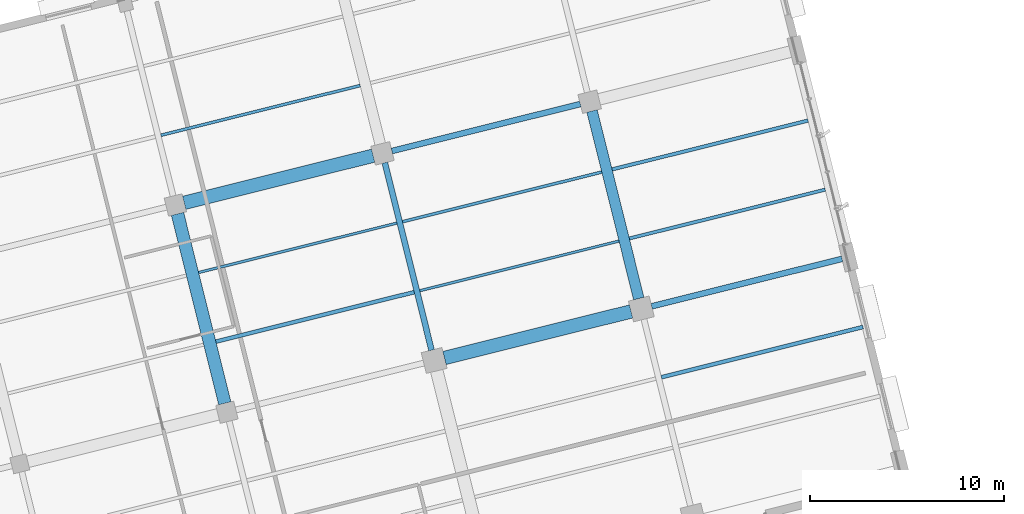
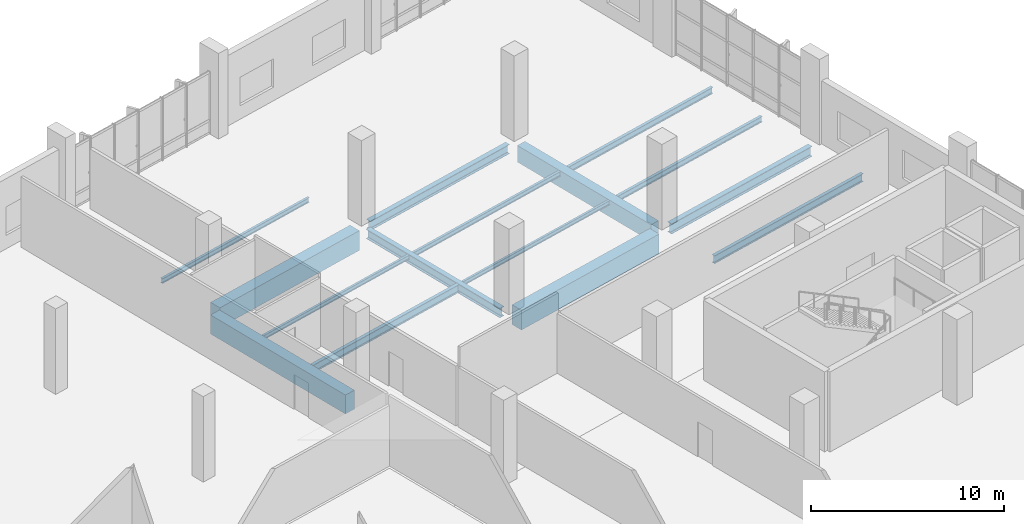
# One storey, part 94 of 176: 15 beams.
"""IFC4 building model written with IfcOpenShell, lengths in metres."""

import ifcopenshell
import ifcopenshell.guid

model = None  # the IFC model being written
_history = None  # IfcOwnerHistory: only IFC2X3 demands one
_inside = {}  # id of a spatial element -> (the spatial element, [elements in it])
_under = {}  # id of a project, library or spatial element -> (it, [spatial elements below it])
_declared = {}  # id of a project -> (the project, [libraries it declares])
_typed = {}  # id of a type object -> (the type object, [elements of that type])
_made_of = {}  # id of a material, layer set ... -> (it, [elements and type objects made of it])


def new_model(schema):
    """Start an empty IFC model of exactly this schema.

    Asked for "IFC4X3", IfcOpenShell would pick the latest addendum, in which some entities
    have other attributes; the version numbers below select the first issue.
    IFC2X3 requires an IfcOwnerHistory on every rooted entity: one is made here for all.
    """
    global model, _history
    if schema == "IFC4X3":
        model = ifcopenshell.file(schema_version=(4, 3, 0, 0))
    else:
        model = ifcopenshell.file(schema=schema)
    _inside.clear()
    _under.clear()
    _declared.clear()
    _typed.clear()
    _made_of.clear()
    _history = None
    if model.schema == "IFC2X3":
        org = make("IfcOrganization", Name="unknown")
        user = make(
            "IfcPersonAndOrganization",
            ThePerson=make("IfcPerson", FamilyName="unknown"),
            TheOrganization=org,
        )
        app = make(
            "IfcApplication",
            ApplicationDeveloper=org,
            Version="unknown",
            ApplicationFullName="unknown",
            ApplicationIdentifier="unknown",
        )
        _history = make(
            "IfcOwnerHistory",
            OwningUser=user,
            OwningApplication=app,
            ChangeAction="ADDED",
            CreationDate=0,
        )
    return model


def make(cls, **values):
    """One entity of the class cls with the attributes given. An attribute that is None is left unset."""
    return model.create_entity(
        cls, **{name: value for name, value in values.items() if value is not None}
    )


def rooted(cls, **values):
    """An entity with a GlobalId (a new one), such as an element, a storey or a relation."""
    return make(cls, GlobalId=ifcopenshell.guid.new(), OwnerHistory=_history, **values)


def si_unit(unit_type, name, prefix=None):
    """IfcSIUnit, for example si_unit("LENGTHUNIT", "METRE", prefix="MILLI")."""
    return make("IfcSIUnit", UnitType=unit_type, Prefix=prefix, Name=name)


def assignment(units):
    """IfcUnitAssignment: the units of a project."""
    return None if units is None else make("IfcUnitAssignment", Units=units)


def point(xyz):
    """IfcCartesianPoint."""
    return None if xyz is None else make("IfcCartesianPoint", Coordinates=xyz)


def direction(xyz):
    """IfcDirection."""
    return None if xyz is None else make("IfcDirection", DirectionRatios=xyz)


def frame(location, z_axis=None, x_axis=None):
    """IfcAxis2Placement3D, a coordinate frame: its origin and axes. An axis left out is left unset."""
    return make(
        "IfcAxis2Placement3D",
        Location=point(location),
        Axis=direction(z_axis),
        RefDirection=direction(x_axis),
    )


def frame_2d(location, x_axis=None):
    """IfcAxis2Placement2D, a coordinate frame in the plane: its origin and x axis."""
    return make(
        "IfcAxis2Placement2D", Location=point(location), RefDirection=direction(x_axis)
    )


def origin():
    """The frame at (0, 0, 0) with its axes left unset."""
    return frame((0.0, 0.0, 0.0))


def origin_2d():
    """The frame at (0, 0) in the plane with its x axis left unset."""
    return frame_2d((0.0, 0.0))


def place(relative_to, where):
    """IfcLocalPlacement: puts the frame where relative to a parent placement (None: the world)."""
    return make(
        "IfcLocalPlacement", PlacementRelTo=relative_to, RelativePlacement=where
    )


def context(
    kind, dimensions, precision=None, world=None, true_north=None, identifier=None
):
    """IfcGeometricRepresentationContext, for example the 3D "Model" context."""
    return make(
        "IfcGeometricRepresentationContext",
        ContextIdentifier=identifier,
        ContextType=kind,
        CoordinateSpaceDimension=dimensions,
        Precision=precision,
        WorldCoordinateSystem=world,
        TrueNorth=true_north,
    )


def subcontext(parent, identifier, kind, view, scale=None):
    """IfcGeometricRepresentationSubContext, for example "Body" below "Model"."""
    return make(
        "IfcGeometricRepresentationSubContext",
        ContextIdentifier=identifier,
        ContextType=kind,
        ParentContext=parent,
        TargetScale=scale,
        TargetView=view,
    )


def project(units=None, contexts=None):
    """IfcProject with its units and contexts."""
    return rooted(
        "IfcProject",
        Name="project",
        RepresentationContexts=contexts,
        UnitsInContext=assignment(units),
    )


def spatial(cls, under=None, at=None, **own):
    """A site, building, storey or space (cls), placed at a placement, below another one or the project."""
    s = rooted(cls, ObjectPlacement=at, **own)
    if under is not None:
        _under.setdefault(under.id(), (under, []))[1].append(s)
    return s


def profile(cls, at=None, kind="AREA", **sizes):
    """A parametric profile (cls). Its sizes go by their IFC names, for example OverallWidth=200.0."""
    return make(cls, ProfileType=kind, Position=at, **sizes)


def rectangle(**sizes):
    """IfcRectangleProfileDef."""
    return profile("IfcRectangleProfileDef", **sizes)


def i_section(**sizes):
    """IfcIShapeProfileDef."""
    return profile("IfcIShapeProfileDef", **sizes)


def extrude(swept, where, along, depth):
    """IfcExtrudedAreaSolid: the profile swept, set in the frame where, extruded along a direction by depth."""
    return make(
        "IfcExtrudedAreaSolid",
        SweptArea=swept,
        Position=where,
        ExtrudedDirection=direction(along),
        Depth=depth,
    )


def shape(context_of_items, identifier, shape_type, items):
    """IfcShapeRepresentation: the items that make up one representation, for example the "Body"."""
    return make(
        "IfcShapeRepresentation",
        ContextOfItems=context_of_items,
        RepresentationIdentifier=identifier,
        RepresentationType=shape_type,
        Items=items,
    )


def material(Name=None, Category=None):
    """IfcMaterial."""
    return make("IfcMaterial", Name=Name, Category=Category)


def material_profile(
    of_material, cross_section, Name=None, Category=None, Priority=None
):
    """IfcMaterialProfile: a cross section and its material."""
    return make(
        "IfcMaterialProfile",
        Name=Name,
        Material=of_material,
        Profile=cross_section,
        Priority=Priority,
        Category=Category,
    )


def profile_set(profiles, Name=None, composite=None):
    """IfcMaterialProfileSet."""
    return make(
        "IfcMaterialProfileSet",
        Name=Name,
        MaterialProfiles=profiles,
        CompositeProfile=composite,
    )


def made_of(thing, what):
    """Note that an element or type object is made of a material, layer set ...; save() writes the relation."""
    if what is not None:
        _made_of.setdefault(what.id(), (what, []))[1].append(thing)
    return thing


def type_object(cls, material=None, **own):
    """A type object (cls), such as IfcWallType, which elements share."""
    return made_of(rooted(cls, **own), material)


def element(
    cls,
    number,
    at=None,
    inside=None,
    cuts=None,
    type_object=None,
    material=None,
    context=None,
    identifier="Body",
    shape_type=None,
    held_by="IfcProductDefinitionShape",
    body=None,
    shapes=None,
    **own,
):
    """One element of the class cls, such as IfcWall. Its Tag is "e" and its number.

    at: its placement. inside: the storey or other place that contains it. cuts: it is an
    opening in that element (IfcRelVoidsElement). A single representation is given by context,
    identifier, shape_type and body (its items); several are given by shapes. held_by: the class
    of the entity that holds the representations. save() writes the other relations.
    """
    e = rooted(cls, Tag="e%d" % number, ObjectPlacement=at, **own)
    if body is not None:
        shapes = [shape(context, identifier, shape_type, body)]
    if shapes is not None:
        e.Representation = make(held_by, Representations=shapes)
    if inside is not None:
        _inside.setdefault(inside.id(), (inside, []))[1].append(e)
    if cuts is not None:
        rooted(
            "IfcRelVoidsElement", RelatingBuildingElement=cuts, RelatedOpeningElement=e
        )
    if type_object is not None:
        _typed.setdefault(type_object.id(), (type_object, []))[1].append(e)
    return made_of(e, material)


def aggregate(whole, parts):
    """IfcRelAggregates: a whole, such as a stair, and the parts it consists of."""
    return rooted("IfcRelAggregates", RelatingObject=whole, RelatedObjects=parts)


def save(model, path):
    """Write the relations noted so far, then the file.

    IfcRelAggregates (storeys below a building ...), IfcRelContainedInSpatialStructure (elements
    in a storey), IfcRelDefinesByType, IfcRelAssociatesMaterial and IfcRelDeclares: one each for
    every whole, place, type object, material and project.
    """
    for whole, parts in _under.values():
        aggregate(whole, parts)
    for where, things in _inside.values():
        rooted(
            "IfcRelContainedInSpatialStructure",
            RelatedElements=things,
            RelatingStructure=where,
        )
    for kind, things in _typed.values():
        rooted("IfcRelDefinesByType", RelatedObjects=things, RelatingType=kind)
    for what, things in _made_of.values():
        rooted("IfcRelAssociatesMaterial", RelatedObjects=things, RelatingMaterial=what)
    for by, libraries in _declared.values():
        rooted("IfcRelDeclares", RelatingContext=by, RelatedDefinitions=libraries)
    model.write(path)


model = new_model("IFC4")

# Units and contexts
model_context = context("Model", 3, precision=1e-05, world=origin(), true_north=direction((0.0, 1.0)))
body_context = subcontext(model_context, "Body", "Model", "MODEL_VIEW")
ifc_project = project(units=[si_unit("LENGTHUNIT", "METRE"), si_unit("AREAUNIT", "SQUARE_METRE"), si_unit("VOLUMEUNIT", "CUBIC_METRE"), si_unit("PLANEANGLEUNIT", "RADIAN"), si_unit("MASSUNIT", "GRAM", prefix="KILO")], contexts=[model_context])

# Site, building, storey
site_placement = place(None, origin())
site = spatial("IfcSite", under=ifc_project, at=site_placement, CompositionType="ELEMENT")
building_placement = place(site_placement, origin())
building = spatial("IfcBuilding", under=site, at=building_placement, Name="Khorjan Park Terminus", CompositionType="ELEMENT")
storey_placement = place(building_placement, frame((0.0, 0.0, 6.0)))
storey = spatial("IfcBuildingStorey", under=building, at=storey_placement, Name="L01", CompositionType="ELEMENT", Elevation=6.0)

# Beams
ifc_material_1 = material(Name="Steel S355", Category="steel")
ifc_material_profile_1 = material_profile(ifc_material_1, i_section(OverallWidth=0.3, OverallDepth=0.59, WebThickness=0.013, FlangeThickness=0.025, FilletRadius=0.027, at=origin_2d()), Name="HEA 600")
ifc_profile_set_1 = profile_set([ifc_material_profile_1], Name="Steel S355")
beam_type_1 = type_object("IfcBeamType", Name="BM-HEA600", PredefinedType="BEAM", material=ifc_profile_set_1)
beam_1_placement = place(storey_placement, frame((195.8676, 66.1306, -0.645), z_axis=(0.970296854054, 0.241917372283, 0.0), x_axis=(-0.241917372283, 0.970296854054, 0.0)))
element("IfcBeam", 1, at=beam_1_placement, inside=storey, type_object=beam_type_1, Name="Primary skew-grid floor girder SB-A60 (L01)", PredefinedType="BEAM", context=body_context, shape_type="SweptSolid", body=[
    extrude(i_section(OverallWidth=0.3, OverallDepth=0.59, WebThickness=0.013, FlangeThickness=0.025, FilletRadius=0.027, at=origin_2d()), origin(), (0.0, 0.0, 1.0), 10.01),
])
ifc_material_profile_2 = material_profile(ifc_material_1, i_section(OverallWidth=0.3, OverallDepth=0.64, WebThickness=0.0135, FlangeThickness=0.026, FilletRadius=0.027, at=origin_2d()), Name="HEA 650")
ifc_profile_set_2 = profile_set([ifc_material_profile_2], Name="Steel S355")
beam_type_2 = type_object("IfcBeamType", Name="BM-HEA650", PredefinedType="BEAM", material=ifc_profile_set_2)
beam_2_placement = place(storey_placement, frame((209.2505, 58.1306, -0.67), z_axis=(0.970296490369, 0.241918830968, 0.0), x_axis=(-0.241918830968, 0.970296490369, 0.0)))
element("IfcBeam", 2, at=beam_2_placement, inside=storey, type_object=beam_type_2, Name="Primary skew-grid floor girder SB-A65 (L01)", PredefinedType="BEAM", context=body_context, shape_type="SweptSolid", body=[
    extrude(i_section(OverallWidth=0.3, OverallDepth=0.64, WebThickness=0.0135, FlangeThickness=0.026, FilletRadius=0.027, at=origin_2d()), origin(), (0.0, 0.0, 1.0), 10.11),
])
ifc_material_profile_3 = material_profile(ifc_material_1, i_section(OverallWidth=0.3, OverallDepth=0.6, WebThickness=0.0155, FlangeThickness=0.03, FilletRadius=0.027, at=origin_2d()), Name="HEB 600")
ifc_profile_set_3 = profile_set([ifc_material_profile_3], Name="Steel S355")
beam_type_3 = type_object("IfcBeamType", Name="BM-HEB600", PredefinedType="BEAM", material=ifc_profile_set_3)
beam_3_placement = place(storey_placement, frame((197.9166, 55.8664, -0.65), z_axis=(-0.241918988709, 0.970296451041, 0.0), x_axis=(-0.970296451041, -0.241918988709, 0.0)))
element("IfcBeam", 3, at=beam_3_placement, inside=storey, type_object=beam_type_3, Name="Primary skew-grid floor girder SB-B60 (L01)", PredefinedType="BEAM", context=body_context, shape_type="SweptSolid", body=[
    extrude(i_section(OverallWidth=0.3, OverallDepth=0.6, WebThickness=0.0155, FlangeThickness=0.03, FilletRadius=0.027, at=origin_2d()), origin(), (0.0, 0.0, 1.0), 9.9599),
])
ifc_material_2 = material(Name="Concrete C40/50", Category="concrete")
ifc_material_profile_4 = material_profile(ifc_material_2, rectangle(XDim=0.55, YDim=1.05, at=origin_2d()), Name="RC 550x1050")
ifc_profile_set_4 = profile_set([ifc_material_profile_4], Name="Concrete C40/50")
beam_type_4 = type_object("IfcBeamType", Name="BM-RC550x1050", PredefinedType="BEAM", material=ifc_profile_set_4)
beam_4_placement = place(storey_placement, frame((208.5899, 58.5275, -0.875), z_axis=(-0.241926084459, 0.970294681867, 0.0), x_axis=(-0.970294681867, -0.241926084459, 0.0)))
element("IfcBeam", 4, at=beam_4_placement, inside=storey, type_object=beam_type_4, Name="Primary skew-grid floor girder GB-105 (L01)", PredefinedType="BEAM", context=body_context, shape_type="SweptSolid", body=[
    extrude(rectangle(XDim=0.55, YDim=1.05, at=origin_2d()), origin(), (0.0, 0.0, 1.0), 9.9601),
])
ifc_material_profile_5 = material_profile(ifc_material_2, rectangle(XDim=0.65, YDim=1.2, at=origin_2d()), Name="RC 650x1200")
ifc_profile_set_5 = profile_set([ifc_material_profile_5], Name="Concrete C40/50")
beam_type_5 = type_object("IfcBeamType", Name="BM-RC650x1200", PredefinedType="BEAM", material=ifc_profile_set_5)
beam_5_placement = place(storey_placement, frame((187.2615, 53.1325, -0.95), z_axis=(-0.241920438591, 0.970296089548, 0.0), x_axis=(-0.970296089548, -0.241920438591, 0.0)))
element("IfcBeam", 5, at=beam_5_placement, inside=storey, type_object=beam_type_5, Name="Primary skew-grid floor girder GB-12 (L01)", PredefinedType="BEAM", context=body_context, shape_type="SweptSolid", body=[
    extrude(rectangle(XDim=0.65, YDim=1.2, at=origin_2d()), origin(), (0.0, 0.0, 1.0), 10.0599),
])
ifc_material_profile_6 = material_profile(ifc_material_2, rectangle(XDim=0.7, YDim=1.25, at=origin_2d()), Name="RC 700x1250")
ifc_profile_set_6 = profile_set([ifc_material_profile_6], Name="Concrete C40/50")
beam_type_6 = type_object("IfcBeamType", Name="BM-RC700x1250", PredefinedType="BEAM", material=ifc_profile_set_6)
beam_6_placement = place(storey_placement, frame((198.5773, 55.4694, -0.975), z_axis=(0.970294265828, 0.24192775306, 0.0), x_axis=(-0.24192775306, 0.970294265828, 0.0)))
element("IfcBeam", 6, at=beam_6_placement, inside=storey, type_object=beam_type_6, Name="Primary skew-grid floor girder GB-125 (L01)", PredefinedType="BEAM", context=body_context, shape_type="SweptSolid", body=[
    extrude(rectangle(XDim=0.7, YDim=1.25, at=origin_2d()), origin(), (0.0, 0.0, 1.0), 9.91),
])
beam_7_placement = place(storey_placement, frame((185.1701, 63.4634, -0.975), z_axis=(0.970295301267, 0.24192360021, 0.0), x_axis=(-0.24192360021, 0.970295301267, 0.0)))
element("IfcBeam", 7, at=beam_7_placement, inside=storey, type_object=beam_type_6, Name="Primary skew-grid floor girder GB-125 (L01)", PredefinedType="BEAM", context=body_context, shape_type="SweptSolid", body=[
    extrude(rectangle(XDim=0.7, YDim=1.25, at=origin_2d()), origin(), (0.0, 0.0, 1.0), 10.035),
])
ifc_material_profile_7 = material_profile(ifc_material_1, i_section(OverallWidth=0.135, OverallDepth=0.27, WebThickness=0.0066, FlangeThickness=0.0102, FilletRadius=0.015, at=origin_2d()), Name="IPE 270")
ifc_profile_set_7 = profile_set([ifc_material_profile_7], Name="Steel S355")
beam_type_7 = type_object("IfcBeamType", Name="JS-IPE270", PredefinedType="JOIST", material=ifc_profile_set_7)
beam_8_placement = place(storey_placement, frame((185.9165, 59.8705, -0.485), z_axis=(0.970293771705, 0.241929734819, 0.0), x_axis=(-0.241929734819, 0.970293771705, 0.0)))
element("IfcBeam", 8, at=beam_8_placement, inside=storey, type_object=beam_type_7, Name="Secondary composite floor joist SJ-27 (L01)", PredefinedType="JOIST", context=body_context, shape_type="SweptSolid", body=[
    extrude(i_section(OverallWidth=0.135, OverallDepth=0.27, WebThickness=0.0066, FlangeThickness=0.0102, FilletRadius=0.015, at=origin_2d()), origin(), (0.0, 0.0, 1.0), 10.525),
])
beam_9_placement = place(storey_placement, frame((197.3069, 58.9316, -0.485), z_axis=(0.970294165893, 0.241928153868, 0.0), x_axis=(-0.241928153868, 0.970294165893, 0.0)))
element("IfcBeam", 9, at=beam_9_placement, inside=storey, type_object=beam_type_7, Name="Secondary composite floor joist SJ-27 (L01)", PredefinedType="JOIST", context=body_context, shape_type="SweptSolid", body=[
    extrude(i_section(OverallWidth=0.135, OverallDepth=0.27, WebThickness=0.0066, FlangeThickness=0.0102, FilletRadius=0.015, at=origin_2d()), origin(), (0.0, 0.0, 1.0), 10.575),
])
ifc_material_profile_8 = material_profile(ifc_material_1, i_section(OverallWidth=0.15, OverallDepth=0.3, WebThickness=0.0071, FlangeThickness=0.0107, FilletRadius=0.015, at=origin_2d()), Name="IPE 300")
ifc_profile_set_8 = profile_set([ifc_material_profile_8], Name="Steel S355")
beam_type_8 = type_object("IfcBeamType", Name="JS-IPE300", PredefinedType="JOIST", material=ifc_profile_set_8)
for number, where, z_axis, x_axis, name in (
    (10, (183.9725, 66.9438, -0.5), (0.970296385626, 0.241919251074, 0.0), (-0.241919251074, 0.970296385626, 0.0), "Secondary composite floor joist SJ-30 (L01)"),
    (11, (196.4199, 62.4893, -0.5), (0.970294165893, 0.241928153868, 0.0), (-0.241928153868, 0.970294165893, 0.0), "Secondary composite floor joist SJ-30 (L01)"),
):
    element("IfcBeam", number, at=place(storey_placement, frame(where, z_axis=z_axis, x_axis=x_axis)), inside=storey, type_object=beam_type_8, Name=name, PredefinedType="JOIST", context=body_context, shape_type="SweptSolid", body=[
        extrude(i_section(OverallWidth=0.15, OverallDepth=0.3, WebThickness=0.0071, FlangeThickness=0.0107, FilletRadius=0.015, at=origin_2d()), origin(), (0.0, 0.0, 1.0), 10.575),
    ])
ifc_material_profile_9 = material_profile(ifc_material_1, i_section(OverallWidth=0.17, OverallDepth=0.36, WebThickness=0.008, FlangeThickness=0.0127, FilletRadius=0.018, at=origin_2d()), Name="IPE 360")
ifc_profile_set_9 = profile_set([ifc_material_profile_9], Name="Steel S355")
beam_type_9 = type_object("IfcBeamType", Name="JS-IPE360", PredefinedType="JOIST", material=ifc_profile_set_9)
beam_10_placement = place(storey_placement, frame((208.1015, 61.623, -0.53), z_axis=(0.970295586552, 0.241922456002, 0.0), x_axis=(-0.241922456002, 0.970295586552, 0.0)))
element("IfcBeam", 12, at=beam_10_placement, inside=storey, type_object=beam_type_9, Name="Secondary composite floor joist SJ-36 (L01)", PredefinedType="JOIST", context=body_context, shape_type="SweptSolid", body=[
    extrude(i_section(OverallWidth=0.17, OverallDepth=0.36, WebThickness=0.008, FlangeThickness=0.0127, FilletRadius=0.018, at=origin_2d()), origin(), (0.0, 0.0, 1.0), 10.4),
])
ifc_material_profile_10 = material_profile(ifc_material_1, i_section(OverallWidth=0.18, OverallDepth=0.4, WebThickness=0.0086, FlangeThickness=0.0135, FilletRadius=0.021, at=origin_2d()), Name="IPE 400")
ifc_profile_set_10 = profile_set([ifc_material_profile_10], Name="Steel S355")
beam_type_10 = type_object("IfcBeamType", Name="JS-IPE400", PredefinedType="JOIST", material=ifc_profile_set_10)
beam_11_placement = place(storey_placement, frame((207.2144, 65.1807, -0.55), z_axis=(0.970295586552, 0.241922456002, 0.0), x_axis=(-0.241922456002, 0.970295586552, 0.0)))
element("IfcBeam", 13, at=beam_11_placement, inside=storey, type_object=beam_type_10, Name="Secondary composite floor joist SJ-40 (L01)", PredefinedType="JOIST", context=body_context, shape_type="SweptSolid", body=[
    extrude(i_section(OverallWidth=0.18, OverallDepth=0.4, WebThickness=0.0086, FlangeThickness=0.0135, FilletRadius=0.021, at=origin_2d()), origin(), (0.0, 0.0, 1.0), 10.4),
])
ifc_material_profile_11 = material_profile(ifc_material_1, i_section(OverallWidth=0.2, OverallDepth=0.5, WebThickness=0.0102, FlangeThickness=0.016, FilletRadius=0.021, at=origin_2d()), Name="IPE 500")
ifc_profile_set_11 = profile_set([ifc_material_profile_11], Name="Steel S355")
beam_type_11 = type_object("IfcBeamType", Name="JS-IPE500", PredefinedType="JOIST", material=ifc_profile_set_11)
beam_12_placement = place(storey_placement, frame((186.8035, 56.3128, -0.6), z_axis=(0.970293771705, 0.241929734819, 0.0), x_axis=(-0.241929734819, 0.970293771705, 0.0)))
element("IfcBeam", 14, at=beam_12_placement, inside=storey, type_object=beam_type_11, Name="Secondary composite floor joist SJ-50 (L01)", PredefinedType="JOIST", context=body_context, shape_type="SweptSolid", body=[
    extrude(i_section(OverallWidth=0.2, OverallDepth=0.5, WebThickness=0.0102, FlangeThickness=0.016, FilletRadius=0.021, at=origin_2d()), origin(), (0.0, 0.0, 1.0), 10.525),
])
beam_13_placement = place(storey_placement, frame((209.7543, 54.4772, -0.6), z_axis=(0.970295138144, 0.241924254455, 0.0), x_axis=(-0.241924254455, 0.970295138144, 0.0)))
element("IfcBeam", 15, at=beam_13_placement, inside=storey, type_object=beam_type_11, Name="Secondary composite floor joist SJ-50 (L01)", PredefinedType="JOIST", context=body_context, shape_type="SweptSolid", body=[
    extrude(i_section(OverallWidth=0.2, OverallDepth=0.5, WebThickness=0.0102, FlangeThickness=0.016, FilletRadius=0.021, at=origin_2d()), origin(), (0.0, 0.0, 1.0), 10.7),
])

save(model, "model.ifc")
